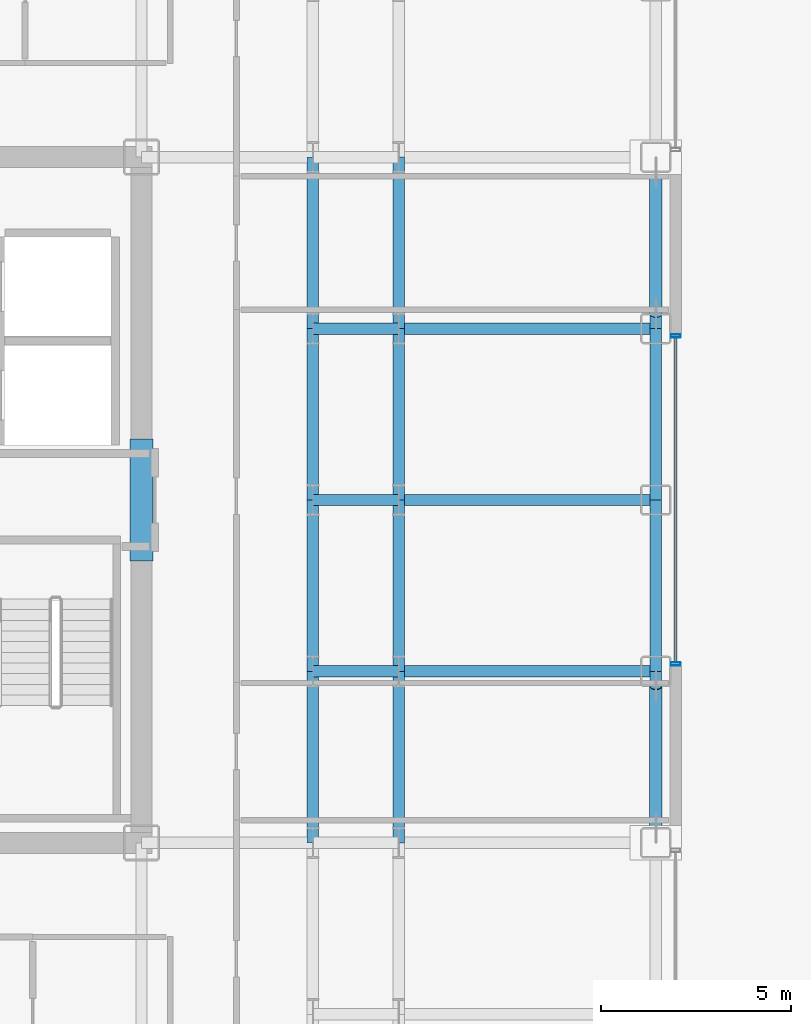
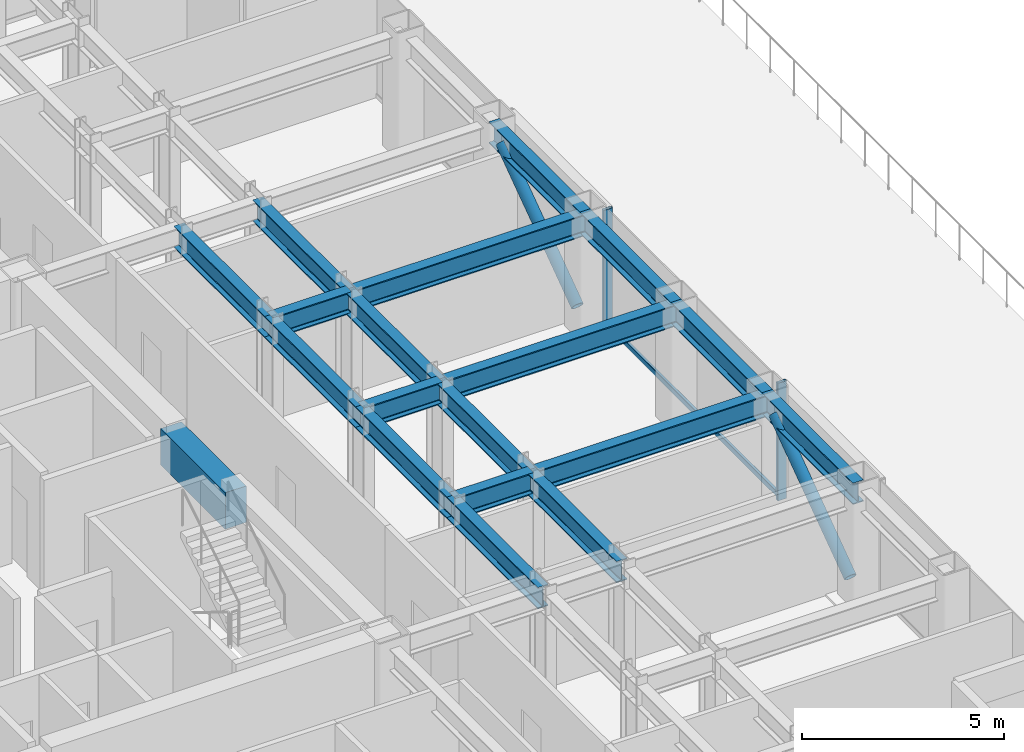
# One storey, part 11 of 27: 19 beams, 5 members, 1 element without a shape of its own.
"""IFC4 building model written with IfcOpenShell, lengths in metres."""

from ifc_helpers import new_model, si_unit, direction, frame, origin, origin_2d, place, context, subcontext, project, spatial, rectangle, hollow_rectangle, hollow_circle, i_section, extrude, source, transform, mapped, material, layer, layer_set, material_profile, profile_set, type_object, element, aggregate, save


model = new_model("IFC4")

# Units and contexts
model_context = context("Model", 3, precision=1e-05, world=origin(), true_north=direction((0.0, 1.0)))
body_context = subcontext(model_context, "Body", "Model", "MODEL_VIEW")
ifc_project = project(units=[si_unit("LENGTHUNIT", "METRE"), si_unit("AREAUNIT", "SQUARE_METRE"), si_unit("VOLUMEUNIT", "CUBIC_METRE"), si_unit("PLANEANGLEUNIT", "RADIAN"), si_unit("MASSUNIT", "GRAM", prefix="KILO")], contexts=[model_context])

# Site, building, storey
site_placement = place(None, origin())
site = spatial("IfcSite", under=ifc_project, at=site_placement, CompositionType="ELEMENT")
building_placement = place(site_placement, origin())
building = spatial("IfcBuilding", under=site, at=building_placement, Name="Nefas-Gora Pilgrimage Tower", CompositionType="ELEMENT")
storey_placement = place(building_placement, frame((0.0, 0.0, 148.800048828125)))
storey = spatial("IfcBuildingStorey", under=building, at=storey_placement, Name="L36", CompositionType="ELEMENT", Elevation=148.800048828125)

# Beams
ifc_material_1 = material(Name="Concrete C60/75", Category="concrete")
ifc_material_profile_1 = material_profile(ifc_material_1, rectangle(XDim=0.60009765625, YDim=1.10009765625, at=origin_2d()), Name="RC 600x1100")
ifc_profile_set_1 = profile_set([ifc_material_profile_1], Name="Concrete C60/75")
beam_type_1 = type_object("IfcBeamType", Name="BM-LIN-RC1100", PredefinedType="LINTEL", material=ifc_profile_set_1)
shared_shape_1 = source(origin(), body_context, "Body", "SweptSolid", [
    extrude(rectangle(XDim=0.60009765625, YDim=1.10009765625, at=origin_2d()), origin(), (0.0, 0.0, 1.0), 3.2001953125),
])
beam_placement = place(storey_placement, frame((11.25, -1.60009765625, 3.0), z_axis=(0.0, 1.0, 0.0), x_axis=(-1.0, 0.0, 0.0)))
element("IfcBeam", 1, at=beam_placement, inside=storey, type_object=beam_type_1, Name="L36 Core Coupling Lintel Beam E", PredefinedType="LINTEL", context=body_context, shape_type="MappedRepresentation", body=[
    mapped(shared_shape_1, transform((0.0, 0.0, 0.0), x_axis=(1.0, 0.0, 0.0), y_axis=(0.0, 1.0, 0.0), z_axis=(0.0, 0.0, 1.0), scale=1.0)),
])
ifc_material_2 = material(Name="Steel S355", Category="steel")
ifc_material_profile_2 = material_profile(ifc_material_2, i_section(OverallWidth=0.300048828125, OverallDepth=0.64990234375, WebThickness=0.01611328125, FlangeThickness=0.031005859375, FilletRadius=0.027099609375, at=origin_2d()), Name="HEB 650")
ifc_profile_set_2 = profile_set([ifc_material_profile_2], Name="Steel S355")
beam_type_2 = type_object("IfcBeamType", Name="BM-SPN-HEB500", PredefinedType="SPANDREL", material=ifc_profile_set_2)
shared_shape_2 = source(origin(), body_context, "Body", "SweptSolid", [
    extrude(i_section(OverallWidth=0.300048828125, OverallDepth=0.64990234375, WebThickness=0.01611328125, FlangeThickness=0.031005859375, FilletRadius=0.027099609375, at=origin_2d()), origin(), (0.0, 0.0, 1.0), 4.5),
])
for number, where, z_axis, x_axis, name in (
    (2, (24.75, -9.0, 3.224853515625), (0.0, 1.0, 0.0), (-1.0, 0.0, 0.0), "L36 SP-02 beam"),
    (3, (24.75, -4.5, 3.224853515625), (0.0, 1.0, 0.0), (-1.0, 0.0, 0.0), "L36 SP-02 beam"),
    (4, (24.75, 0.0, 3.224853515625), (0.0, 1.0, 0.0), (-1.0, 0.0, 0.0), "L36 SP-02 beam"),
    (5, (24.75, 4.5, 3.224853515625), (0.0, 1.0, 0.0), (-1.0, 0.0, 0.0), "L36 SP-02 beam"),
):
    element("IfcBeam", number, at=place(storey_placement, frame(where, z_axis=z_axis, x_axis=x_axis)), inside=storey, type_object=beam_type_2, Name=name, PredefinedType="SPANDREL", context=body_context, shape_type="MappedRepresentation", body=[
        mapped(shared_shape_2, transform((0.0, 0.0, 0.0), x_axis=(1.0, 0.0, 0.0), y_axis=(0.0, 1.0, 0.0), z_axis=(0.0, 0.0, 1.0), scale=1.0)),
    ])
ifc_material_profile_3 = material_profile(ifc_material_2, i_section(OverallWidth=0.300048828125, OverallDepth=0.64990234375, WebThickness=0.01611328125, FlangeThickness=0.031005859375, FilletRadius=0.027099609375, at=origin_2d()), Name="HEB 650")
ifc_profile_set_3 = profile_set([ifc_material_profile_3], Name="Steel S355")
beam_type_3 = type_object("IfcBeamType", Name="BM-GIR-HEB650", PredefinedType="BEAM", material=ifc_profile_set_3)
shared_shape_3 = source(origin(), body_context, "Body", "SweptSolid", [
    extrude(i_section(OverallWidth=0.300048828125, OverallDepth=0.64990234375, WebThickness=0.01611328125, FlangeThickness=0.031005859375, FilletRadius=0.027099609375, at=origin_2d()), origin(), (0.0, 0.0, 1.0), 4.5),
])
for number, where, z_axis, x_axis, name in (
    (6, (15.75, -9.0, 3.224853515625), (0.0, 1.0, 0.0), (-1.0, 0.0, 0.0), "L36 G-03 beam"),
    (7, (15.75, -4.5, 3.224853515625), (0.0, 1.0, 0.0), (-1.0, 0.0, 0.0), "L36 G-03 beam"),
    (8, (15.75, 0.0, 3.224853515625), (0.0, 1.0, 0.0), (-1.0, 0.0, 0.0), "L36 G-03 beam"),
    (9, (15.75, 4.5, 3.224853515625), (0.0, 1.0, 0.0), (-1.0, 0.0, 0.0), "L36 G-03 beam"),
    (10, (18.0, -9.0, 3.224853515625), (0.0, 1.0, 0.0), (-1.0, 0.0, 0.0), "L36 G-03 beam"),
    (11, (18.0, -4.5, 3.224853515625), (0.0, 1.0, 0.0), (-1.0, 0.0, 0.0), "L36 G-03 beam"),
    (12, (18.0, 0.0, 3.224853515625), (0.0, 1.0, 0.0), (-1.0, 0.0, 0.0), "L36 G-03 beam"),
    (13, (18.0, 4.5, 3.224853515625), (0.0, 1.0, 0.0), (-1.0, 0.0, 0.0), "L36 G-03 beam"),
):
    element("IfcBeam", number, at=place(storey_placement, frame(where, z_axis=z_axis, x_axis=x_axis)), inside=storey, type_object=beam_type_3, Name=name, PredefinedType="BEAM", context=body_context, shape_type="MappedRepresentation", body=[
        mapped(shared_shape_3, transform((0.0, 0.0, 0.0), x_axis=(1.0, 0.0, 0.0), y_axis=(0.0, 1.0, 0.0), z_axis=(0.0, 0.0, 1.0), scale=1.0)),
    ])
shared_shape_4 = source(origin(), body_context, "Body", "SweptSolid", [
    extrude(i_section(OverallWidth=0.300048828125, OverallDepth=0.64990234375, WebThickness=0.01611328125, FlangeThickness=0.031005859375, FilletRadius=0.027099609375, at=origin_2d()), origin(), (0.0, 0.0, 1.0), 6.75),
])
for number, where, z_axis, x_axis, name in (
    (14, (18.0, -4.5, 3.224853515625), (1.0, 0.0, 0.0), (0.0, 1.0, 0.0), "L36 G-03 beam"),
    (15, (18.0, 0.0, 3.224853515625), (1.0, 0.0, 0.0), (0.0, 1.0, 0.0), "L36 G-03 beam"),
    (16, (18.0, 4.5, 3.224853515625), (1.0, 0.0, 0.0), (0.0, 1.0, 0.0), "L36 G-03 beam"),
):
    element("IfcBeam", number, at=place(storey_placement, frame(where, z_axis=z_axis, x_axis=x_axis)), inside=storey, type_object=beam_type_3, Name=name, PredefinedType="BEAM", context=body_context, shape_type="MappedRepresentation", body=[
        mapped(shared_shape_4, transform((0.0, 0.0, 0.0), x_axis=(1.0, 0.0, 0.0), y_axis=(0.0, 1.0, 0.0), z_axis=(0.0, 0.0, 1.0), scale=1.0)),
    ])
shared_shape_5 = source(origin(), body_context, "Body", "SweptSolid", [
    extrude(i_section(OverallWidth=0.300048828125, OverallDepth=0.64990234375, WebThickness=0.01611328125, FlangeThickness=0.031005859375, FilletRadius=0.027099609375, at=origin_2d()), origin(), (0.0, 0.0, 1.0), 2.25),
])
for number, where, z_axis, x_axis, name in (
    (17, (15.75, -4.5, 3.224853515625), (1.0, 0.0, 0.0), (0.0, 1.0, 0.0), "L36 G-03 beam"),
    (18, (15.75, 0.0, 3.224853515625), (1.0, 0.0, 0.0), (0.0, 1.0, 0.0), "L36 G-03 beam"),
    (19, (15.75, 4.5, 3.224853515625), (1.0, 0.0, 0.0), (0.0, 1.0, 0.0), "L36 G-03 beam"),
):
    element("IfcBeam", number, at=place(storey_placement, frame(where, z_axis=z_axis, x_axis=x_axis)), inside=storey, type_object=beam_type_3, Name=name, PredefinedType="BEAM", context=body_context, shape_type="MappedRepresentation", body=[
        mapped(shared_shape_5, transform((0.0, 0.0, 0.0), x_axis=(1.0, 0.0, 0.0), y_axis=(0.0, 1.0, 0.0), z_axis=(0.0, 0.0, 1.0), scale=1.0)),
    ])

# Members
ifc_material_profile_4 = material_profile(ifc_material_2, hollow_circle(Radius=0.161865234375, WallThickness=0.02001953125, at=origin_2d()), Name="CHS 323.9x20")
ifc_profile_set_4 = profile_set([ifc_material_profile_4], Name="Steel S355")
member_type_1 = type_object("IfcMemberType", Name="MEM-TUBE-324", PredefinedType="BRACE", material=ifc_profile_set_4)
shared_shape_6 = source(origin(), body_context, "Body", "SweptSolid", [
    extrude(hollow_circle(Radius=0.161865234375, WallThickness=0.02001953125, at=origin_2d()), origin(), (0.0, 0.0, 1.0), 4.579345703125),
])
for number, where, z_axis, x_axis, name in (
    (20, (24.75, -8.612060546875, 0.427490234375), (0.0, 0.813246879171, 0.581918820385), (-1.0, 0.0, 0.0), "L36 Perimeter Tube Diagonal Brace E1"),
    (21, (24.75, 4.887939453125, 0.427490234375), (0.0, 0.813246879171, 0.581918820385), (-1.0, 0.0, 0.0), "L36 Perimeter Tube Diagonal Brace E2"),
):
    element("IfcMember", number, at=place(storey_placement, frame(where, z_axis=z_axis, x_axis=x_axis)), inside=storey, type_object=member_type_1, Name=name, PredefinedType="BRACE", context=body_context, shape_type="MappedRepresentation", body=[
        mapped(shared_shape_6, transform((0.0, 0.0, 0.0), x_axis=(1.0, 0.0, 0.0), y_axis=(0.0, 1.0, 0.0), z_axis=(0.0, 0.0, 1.0), scale=1.0)),
    ])

# Curtain wall, members
ifc_material_3 = material(Name="Dark ceramic-fritted solar-control aluminium-glass curtain wall", Category="aluminium")
ifc_layer = layer(ifc_material_3, 0.219970703125)
ifc_layer_set = layer_set([ifc_layer], Name="Dark ceramic-fritted solar-control aluminium-glass curtain wall")
curtain_wall_type = type_object("IfcCurtainWallType", Name="CW-SYS-3", PredefinedType="NOTDEFINED", material=ifc_layer_set)
curtain_wall_placement = place(storey_placement, origin())
curtain_wall = element("IfcCurtainWall", 22, at=curtain_wall_placement, inside=storey, type_object=curtain_wall_type, Name="L36 Unitised Curtain Wall CW3", PredefinedType="NOTDEFINED")
ifc_material_4 = material(Name="Anodised architectural aluminium", Category="aluminium")
ifc_material_profile_5 = material_profile(ifc_material_4, hollow_rectangle(XDim=0.090087890625, YDim=0.260009765625, WallThickness=0.006103515625, InnerFilletRadius=0.006103515625, OuterFilletRadius=0.011962890625, at=origin_2d()), Name="ALU MULLION 90x260")
ifc_profile_set_5 = profile_set([ifc_material_profile_5], Name="Anodised architectural aluminium")
member_type_2 = type_object("IfcMemberType", Name="CWM-MUL-3", PredefinedType="MULLION", material=ifc_profile_set_5)
shared_shape_7 = source(origin(), body_context, "Body", "SweptSolid", [
    extrude(hollow_rectangle(XDim=0.090087890625, YDim=0.260009765625, WallThickness=0.006103515625, InnerFilletRadius=0.006103515625, OuterFilletRadius=0.011962890625, at=origin_2d()), origin(), (0.0, 0.0, 1.0), 3.550048828125),
])
member_1_placement = place(storey_placement, frame((25.27001953125, -4.304931640625, 0.0), z_axis=(0.0, 0.0, 1.0), x_axis=(0.0, 1.0, 0.0)))
member_1 = element("IfcMember", 23, at=member_1_placement, type_object=member_type_2, Name="CW3 Mullion 1", PredefinedType="MULLION", context=body_context, shape_type="MappedRepresentation", body=[
    mapped(shared_shape_7, transform((0.0, 0.0, 0.0), x_axis=(1.0, 0.0, 0.0), y_axis=(0.0, 1.0, 0.0), z_axis=(0.0, 0.0, 1.0), scale=1.0)),
])
member_2_placement = place(storey_placement, frame((25.27001953125, 4.304931640625, 0.0), z_axis=(0.0, 0.0, 1.0), x_axis=(0.0, 1.0, 0.0)))
member_2 = element("IfcMember", 24, at=member_2_placement, type_object=member_type_2, Name="CW3 Mullion 2", PredefinedType="MULLION", context=body_context, shape_type="MappedRepresentation", body=[
    mapped(shared_shape_7, transform((0.0, 0.0, 0.0), x_axis=(1.0, 0.0, 0.0), y_axis=(0.0, 1.0, 0.0), z_axis=(0.0, 0.0, 1.0), scale=1.0)),
])
ifc_material_profile_6 = material_profile(ifc_material_4, hollow_rectangle(XDim=0.080078125, YDim=0.159912109375, WallThickness=0.00439453125, InnerFilletRadius=0.00439453125, OuterFilletRadius=0.009033203125, at=origin_2d()), Name="ALU TRANSOM 80x160")
ifc_profile_set_6 = profile_set([ifc_material_profile_6], Name="Anodised architectural aluminium")
member_type_3 = type_object("IfcMemberType", Name="CWM-TRN-3", PredefinedType="USERDEFINED", material=ifc_profile_set_6)
shared_shape_8 = source(origin(), body_context, "Body", "SweptSolid", [
    extrude(hollow_rectangle(XDim=0.080078125, YDim=0.159912109375, WallThickness=0.00439453125, InnerFilletRadius=0.00439453125, OuterFilletRadius=0.009033203125, at=origin_2d()), origin(), (0.0, 0.0, 1.0), 8.52001953125),
])
member_3_placement = place(storey_placement, frame((25.27001953125, -4.260009765625, 0.050048828125), z_axis=(0.0, 1.0, 0.0), x_axis=(-1.0, 0.0, 0.0)))
member_3 = element("IfcMember", 25, at=member_3_placement, type_object=member_type_3, Name="CW3 Spandrel Transom", ObjectType="TRANSOM", PredefinedType="USERDEFINED", context=body_context, shape_type="MappedRepresentation", body=[
    mapped(shared_shape_8, transform((0.0, 0.0, 0.0), x_axis=(1.0, 0.0, 0.0), y_axis=(0.0, 1.0, 0.0), z_axis=(0.0, 0.0, 1.0), scale=1.0)),
])
aggregate(curtain_wall, [member_1, member_2, member_3])

save(model, "model.ifc")
